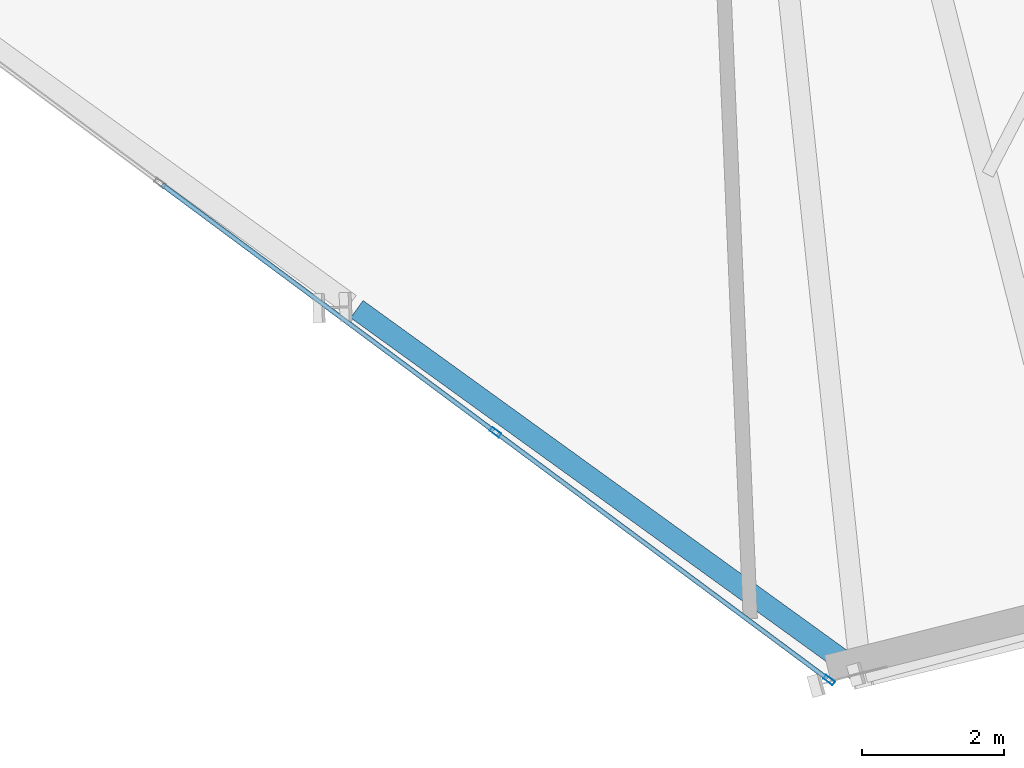
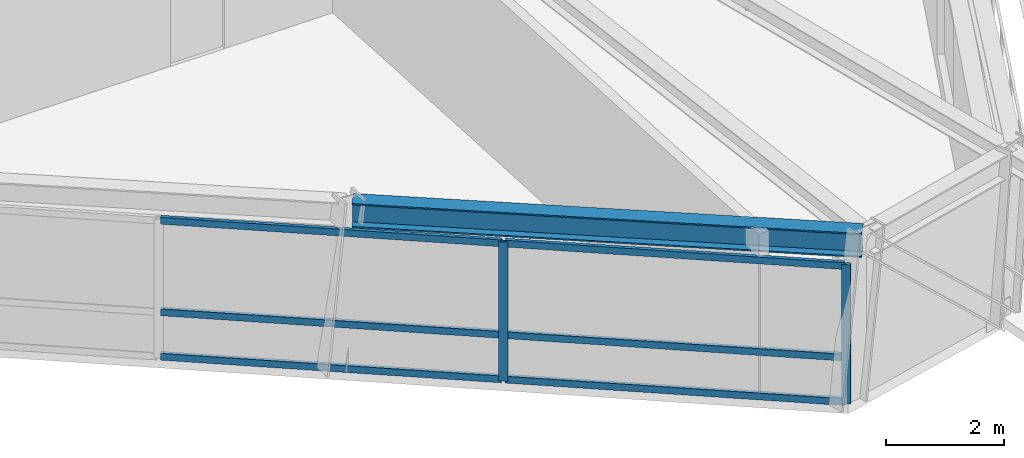
# One storey, part 3 of 14: 8 members, 1 beam, 1 element without a shape of its own.
"""IFC4 building model written with IfcOpenShell, lengths in metres."""

import ifcopenshell
import ifcopenshell.guid

model = None  # the IFC model being written
_history = None  # IfcOwnerHistory: only IFC2X3 demands one
_inside = {}  # id of a spatial element -> (the spatial element, [elements in it])
_under = {}  # id of a project, library or spatial element -> (it, [spatial elements below it])
_declared = {}  # id of a project -> (the project, [libraries it declares])
_typed = {}  # id of a type object -> (the type object, [elements of that type])
_made_of = {}  # id of a material, layer set ... -> (it, [elements and type objects made of it])


def new_model(schema):
    """Start an empty IFC model of exactly this schema.

    Asked for "IFC4X3", IfcOpenShell would pick the latest addendum, in which some entities
    have other attributes; the version numbers below select the first issue.
    IFC2X3 requires an IfcOwnerHistory on every rooted entity: one is made here for all.
    """
    global model, _history
    if schema == "IFC4X3":
        model = ifcopenshell.file(schema_version=(4, 3, 0, 0))
    else:
        model = ifcopenshell.file(schema=schema)
    _inside.clear()
    _under.clear()
    _declared.clear()
    _typed.clear()
    _made_of.clear()
    _history = None
    if model.schema == "IFC2X3":
        org = make("IfcOrganization", Name="unknown")
        user = make(
            "IfcPersonAndOrganization",
            ThePerson=make("IfcPerson", FamilyName="unknown"),
            TheOrganization=org,
        )
        app = make(
            "IfcApplication",
            ApplicationDeveloper=org,
            Version="unknown",
            ApplicationFullName="unknown",
            ApplicationIdentifier="unknown",
        )
        _history = make(
            "IfcOwnerHistory",
            OwningUser=user,
            OwningApplication=app,
            ChangeAction="ADDED",
            CreationDate=0,
        )
    return model


def make(cls, **values):
    """One entity of the class cls with the attributes given. An attribute that is None is left unset."""
    return model.create_entity(
        cls, **{name: value for name, value in values.items() if value is not None}
    )


def rooted(cls, **values):
    """An entity with a GlobalId (a new one), such as an element, a storey or a relation."""
    return make(cls, GlobalId=ifcopenshell.guid.new(), OwnerHistory=_history, **values)


def si_unit(unit_type, name, prefix=None):
    """IfcSIUnit, for example si_unit("LENGTHUNIT", "METRE", prefix="MILLI")."""
    return make("IfcSIUnit", UnitType=unit_type, Prefix=prefix, Name=name)


def assignment(units):
    """IfcUnitAssignment: the units of a project."""
    return None if units is None else make("IfcUnitAssignment", Units=units)


def point(xyz):
    """IfcCartesianPoint."""
    return None if xyz is None else make("IfcCartesianPoint", Coordinates=xyz)


def direction(xyz):
    """IfcDirection."""
    return None if xyz is None else make("IfcDirection", DirectionRatios=xyz)


def frame(location, z_axis=None, x_axis=None):
    """IfcAxis2Placement3D, a coordinate frame: its origin and axes. An axis left out is left unset."""
    return make(
        "IfcAxis2Placement3D",
        Location=point(location),
        Axis=direction(z_axis),
        RefDirection=direction(x_axis),
    )


def frame_2d(location, x_axis=None):
    """IfcAxis2Placement2D, a coordinate frame in the plane: its origin and x axis."""
    return make(
        "IfcAxis2Placement2D", Location=point(location), RefDirection=direction(x_axis)
    )


def origin():
    """The frame at (0, 0, 0) with its axes left unset."""
    return frame((0.0, 0.0, 0.0))


def origin_2d():
    """The frame at (0, 0) in the plane with its x axis left unset."""
    return frame_2d((0.0, 0.0))


def place(relative_to, where):
    """IfcLocalPlacement: puts the frame where relative to a parent placement (None: the world)."""
    return make(
        "IfcLocalPlacement", PlacementRelTo=relative_to, RelativePlacement=where
    )


def context(
    kind, dimensions, precision=None, world=None, true_north=None, identifier=None
):
    """IfcGeometricRepresentationContext, for example the 3D "Model" context."""
    return make(
        "IfcGeometricRepresentationContext",
        ContextIdentifier=identifier,
        ContextType=kind,
        CoordinateSpaceDimension=dimensions,
        Precision=precision,
        WorldCoordinateSystem=world,
        TrueNorth=true_north,
    )


def subcontext(parent, identifier, kind, view, scale=None):
    """IfcGeometricRepresentationSubContext, for example "Body" below "Model"."""
    return make(
        "IfcGeometricRepresentationSubContext",
        ContextIdentifier=identifier,
        ContextType=kind,
        ParentContext=parent,
        TargetScale=scale,
        TargetView=view,
    )


def project(units=None, contexts=None):
    """IfcProject with its units and contexts."""
    return rooted(
        "IfcProject",
        Name="project",
        RepresentationContexts=contexts,
        UnitsInContext=assignment(units),
    )


def spatial(cls, under=None, at=None, **own):
    """A site, building, storey or space (cls), placed at a placement, below another one or the project."""
    s = rooted(cls, ObjectPlacement=at, **own)
    if under is not None:
        _under.setdefault(under.id(), (under, []))[1].append(s)
    return s


def profile(cls, at=None, kind="AREA", **sizes):
    """A parametric profile (cls). Its sizes go by their IFC names, for example OverallWidth=200.0."""
    return make(cls, ProfileType=kind, Position=at, **sizes)


def hollow_rectangle(**sizes):
    """IfcRectangleHollowProfileDef."""
    return profile("IfcRectangleHollowProfileDef", **sizes)


def i_section(**sizes):
    """IfcIShapeProfileDef."""
    return profile("IfcIShapeProfileDef", **sizes)


def extrude(swept, where, along, depth):
    """IfcExtrudedAreaSolid: the profile swept, set in the frame where, extruded along a direction by depth."""
    return make(
        "IfcExtrudedAreaSolid",
        SweptArea=swept,
        Position=where,
        ExtrudedDirection=direction(along),
        Depth=depth,
    )


def shape(context_of_items, identifier, shape_type, items):
    """IfcShapeRepresentation: the items that make up one representation, for example the "Body"."""
    return make(
        "IfcShapeRepresentation",
        ContextOfItems=context_of_items,
        RepresentationIdentifier=identifier,
        RepresentationType=shape_type,
        Items=items,
    )


def source(mapping_origin, context_of_items, identifier, shape_type, items):
    """IfcRepresentationMap: a shape defined once, which mapped items show again and again."""
    return make(
        "IfcRepresentationMap",
        MappingOrigin=mapping_origin,
        MappedRepresentation=shape(context_of_items, identifier, shape_type, items),
    )


def transform(
    local_origin,
    x_axis=None,
    y_axis=None,
    z_axis=None,
    scale=None,
    scale2=None,
    scale3=None,
    uniform=True,
):
    """IfcCartesianTransformationOperator3D, or its non-uniform kind. x_axis, y_axis, z_axis: its Axis1, 2, 3."""
    if uniform:
        return make(
            "IfcCartesianTransformationOperator3D",
            Axis1=direction(x_axis),
            Axis2=direction(y_axis),
            LocalOrigin=point(local_origin),
            Scale=scale,
            Axis3=direction(z_axis),
        )
    return make(
        "IfcCartesianTransformationOperator3DnonUniform",
        Axis1=direction(x_axis),
        Axis2=direction(y_axis),
        LocalOrigin=point(local_origin),
        Scale=scale,
        Axis3=direction(z_axis),
        Scale2=scale2,
        Scale3=scale3,
    )


def mapped(mapping_source, mapping_target):
    """IfcMappedItem: shows the shape of a source again, moved by a transform."""
    return make(
        "IfcMappedItem", MappingSource=mapping_source, MappingTarget=mapping_target
    )


def material(Name=None, Category=None):
    """IfcMaterial."""
    return make("IfcMaterial", Name=Name, Category=Category)


def material_profile(
    of_material, cross_section, Name=None, Category=None, Priority=None
):
    """IfcMaterialProfile: a cross section and its material."""
    return make(
        "IfcMaterialProfile",
        Name=Name,
        Material=of_material,
        Profile=cross_section,
        Priority=Priority,
        Category=Category,
    )


def profile_set(profiles, Name=None, composite=None):
    """IfcMaterialProfileSet."""
    return make(
        "IfcMaterialProfileSet",
        Name=Name,
        MaterialProfiles=profiles,
        CompositeProfile=composite,
    )


def made_of(thing, what):
    """Note that an element or type object is made of a material, layer set ...; save() writes the relation."""
    if what is not None:
        _made_of.setdefault(what.id(), (what, []))[1].append(thing)
    return thing


def type_object(cls, material=None, **own):
    """A type object (cls), such as IfcWallType, which elements share."""
    return made_of(rooted(cls, **own), material)


def element(
    cls,
    number,
    at=None,
    inside=None,
    cuts=None,
    type_object=None,
    material=None,
    context=None,
    identifier="Body",
    shape_type=None,
    held_by="IfcProductDefinitionShape",
    body=None,
    shapes=None,
    **own,
):
    """One element of the class cls, such as IfcWall. Its Tag is "e" and its number.

    at: its placement. inside: the storey or other place that contains it. cuts: it is an
    opening in that element (IfcRelVoidsElement). A single representation is given by context,
    identifier, shape_type and body (its items); several are given by shapes. held_by: the class
    of the entity that holds the representations. save() writes the other relations.
    """
    e = rooted(cls, Tag="e%d" % number, ObjectPlacement=at, **own)
    if body is not None:
        shapes = [shape(context, identifier, shape_type, body)]
    if shapes is not None:
        e.Representation = make(held_by, Representations=shapes)
    if inside is not None:
        _inside.setdefault(inside.id(), (inside, []))[1].append(e)
    if cuts is not None:
        rooted(
            "IfcRelVoidsElement", RelatingBuildingElement=cuts, RelatedOpeningElement=e
        )
    if type_object is not None:
        _typed.setdefault(type_object.id(), (type_object, []))[1].append(e)
    return made_of(e, material)


def aggregate(whole, parts):
    """IfcRelAggregates: a whole, such as a stair, and the parts it consists of."""
    return rooted("IfcRelAggregates", RelatingObject=whole, RelatedObjects=parts)


def save(model, path):
    """Write the relations noted so far, then the file.

    IfcRelAggregates (storeys below a building ...), IfcRelContainedInSpatialStructure (elements
    in a storey), IfcRelDefinesByType, IfcRelAssociatesMaterial and IfcRelDeclares: one each for
    every whole, place, type object, material and project.
    """
    for whole, parts in _under.values():
        aggregate(whole, parts)
    for where, things in _inside.values():
        rooted(
            "IfcRelContainedInSpatialStructure",
            RelatedElements=things,
            RelatingStructure=where,
        )
    for kind, things in _typed.values():
        rooted("IfcRelDefinesByType", RelatedObjects=things, RelatingType=kind)
    for what, things in _made_of.values():
        rooted("IfcRelAssociatesMaterial", RelatedObjects=things, RelatingMaterial=what)
    for by, libraries in _declared.values():
        rooted("IfcRelDeclares", RelatingContext=by, RelatedDefinitions=libraries)
    model.write(path)


model = new_model("IFC4")

# Units and contexts
model_context = context("Model", 3, precision=1e-05, world=origin(), true_north=direction((0.0, 1.0)))
body_context = subcontext(model_context, "Body", "Model", "MODEL_VIEW")
ifc_project = project(units=[si_unit("LENGTHUNIT", "METRE"), si_unit("AREAUNIT", "SQUARE_METRE"), si_unit("VOLUMEUNIT", "CUBIC_METRE"), si_unit("PLANEANGLEUNIT", "RADIAN"), si_unit("MASSUNIT", "GRAM", prefix="KILO")], contexts=[model_context])

# Site, building, storey
site_placement = place(None, origin())
site = spatial("IfcSite", under=ifc_project, at=site_placement, CompositionType="ELEMENT")
building_placement = place(site_placement, origin())
building = spatial("IfcBuilding", under=site, at=building_placement, Name="Olszyna Solenne Hotel", CompositionType="ELEMENT")
storey_placement = place(building_placement, frame((0.0, 0.0, 230.89990234375)))
storey = spatial("IfcBuildingStorey", under=building, at=storey_placement, Name="L61", CompositionType="ELEMENT", Elevation=230.89990234375)

# Beam
ifc_material_1 = material(Name="Steel S355J2", Category="steel")
ifc_material_profile_1 = material_profile(ifc_material_1, i_section(OverallWidth=0.300048828125, OverallDepth=0.5, WebThickness=0.014404296875, FlangeThickness=0.028076171875, at=origin_2d()), Name="HEB 500", Category="load-bearing")
ifc_profile_set_1 = profile_set([ifc_material_profile_1], Name="Steel S355J2")
beam_type = type_object("IfcBeamType", Name="BM-S3", PredefinedType="BEAM", material=ifc_profile_set_1)
shared_shape_1 = source(origin(), body_context, "Body", "SweptSolid", [
    extrude(i_section(OverallWidth=0.300048828125, OverallDepth=0.5, WebThickness=0.014404296875, FlangeThickness=0.028076171875, at=origin_2d()), origin(), (0.0, 0.0, 1.0), 8.664794921875),
])
beam_placement = place(storey_placement, frame((33.439453125, 8.008544921875, 3.130126953125), z_axis=(0.810465193852, -0.585786795306, 0.0), x_axis=(0.585786795306, 0.810465193852, 0.0)))
element("IfcBeam", 1, at=beam_placement, inside=storey, type_object=beam_type, Name="Perimeter spandrel beam BM-S3 B-L61-1803", PredefinedType="BEAM", context=body_context, shape_type="MappedRepresentation", body=[
    mapped(shared_shape_1, transform((0.0, 0.0, 0.0), x_axis=(1.0, 0.0, 0.0), y_axis=(0.0, 1.0, 0.0), z_axis=(0.0, 0.0, 1.0), scale=1.0)),
])

# Curtain wall, members
ifc_material_2 = material(Name="Anodised bronze aluminium", Category="aluminium")
curtain_wall_type = type_object("IfcCurtainWallType", Name="CW-SYS-4", PredefinedType="NOTDEFINED", material=ifc_material_2)
curtain_wall_placement = place(storey_placement, origin())
curtain_wall = element("IfcCurtainWall", 2, at=curtain_wall_placement, inside=storey, type_object=curtain_wall_type, Name="Unitised curtain wall CW-SYS-4 CW-L61-01", PredefinedType="NOTDEFINED")
ifc_material_profile_2 = material_profile(ifc_material_2, hollow_rectangle(XDim=0.06494140625, YDim=0.159912109375, WallThickness=0.00390625, at=origin_2d()), Name="MULL 160x65x4", Category="load-bearing")
ifc_profile_set_2 = profile_set([ifc_material_profile_2], Name="Anodised bronze aluminium")
member_type_1 = type_object("IfcMemberType", Name="CW-M3", PredefinedType="MULLION", material=ifc_profile_set_2)
shared_shape_2 = source(origin(), body_context, "Body", "SweptSolid", [
    extrude(hollow_rectangle(XDim=0.06494140625, YDim=0.159912109375, WallThickness=0.00390625, at=origin_2d()), origin(), (0.0, 0.0, 1.0), 2.8720703125),
])
member_1_placement = place(storey_placement, frame((35.38623046875, 6.280029296875, 0.0), z_axis=(0.0, 0.0, 1.0), x_axis=(0.596276180926, 0.802779369478, 0.0)))
member_1 = element("IfcMember", 3, at=member_1_placement, type_object=member_type_1, Name="Curtain-wall mullion CW-M3 CM-L61-01-03", PredefinedType="MULLION", context=body_context, shape_type="MappedRepresentation", body=[
    mapped(shared_shape_2, transform((0.0, 0.0, 0.0), x_axis=(1.0, 0.0, 0.0), y_axis=(0.0, 1.0, 0.0), z_axis=(0.0, 0.0, 1.0), scale=1.0)),
])
member_2_placement = place(storey_placement, frame((40.068603515625, 2.80224609375, 0.0), z_axis=(0.0, 0.0, 1.0), x_axis=(0.596276180926, 0.802779369478, 0.0)))
member_2 = element("IfcMember", 4, at=member_2_placement, type_object=member_type_1, Name="Curtain-wall mullion CW-M3 CM-L61-01-04", PredefinedType="MULLION", context=body_context, shape_type="MappedRepresentation", body=[
    mapped(shared_shape_2, transform((0.0, 0.0, 0.0), x_axis=(1.0, 0.0, 0.0), y_axis=(0.0, 1.0, 0.0), z_axis=(0.0, 0.0, 1.0), scale=1.0)),
])
ifc_material_profile_3 = material_profile(ifc_material_2, hollow_rectangle(XDim=0.06494140625, YDim=0.139892578125, WallThickness=0.00390625, at=origin_2d()), Name="TRAN 140x65x4", Category="load-bearing")
ifc_profile_set_3 = profile_set([ifc_material_profile_3], Name="Anodised bronze aluminium")
member_type_2 = type_object("IfcMemberType", Name="CW-T2", PredefinedType="USERDEFINED", material=ifc_profile_set_3)
shared_shape_3 = source(origin(), body_context, "Body", "SweptSolid", [
    extrude(hollow_rectangle(XDim=0.06494140625, YDim=0.139892578125, WallThickness=0.00390625, at=origin_2d()), origin(), (0.0, 0.0, 1.0), 5.767578125),
])
member_3_placement = place(storey_placement, frame((35.412353515625, 6.2607421875, 0.03271484375), z_axis=(0.802790161466, -0.596261651168, 0.0), x_axis=(0.596261651168, 0.802790161466, 0.0)))
member_3 = element("IfcMember", 5, at=member_3_placement, type_object=member_type_2, Name="Curtain-wall transom CW-T2 CT-L61-01-07", ObjectType="TRANSOM", PredefinedType="USERDEFINED", context=body_context, shape_type="MappedRepresentation", body=[
    mapped(shared_shape_3, transform((0.0, 0.0, 0.0), x_axis=(1.0, 0.0, 0.0), y_axis=(0.0, 1.0, 0.0), z_axis=(0.0, 0.0, 1.0), scale=1.0)),
])
member_4_placement = place(storey_placement, frame((35.412353515625, 6.2607421875, 0.9501953125), z_axis=(0.802790161466, -0.596261651168, 0.0), x_axis=(0.596261651168, 0.802790161466, 0.0)))
member_4 = element("IfcMember", 6, at=member_4_placement, type_object=member_type_2, Name="Curtain-wall transom CW-T2 CT-L61-01-08", ObjectType="TRANSOM", PredefinedType="USERDEFINED", context=body_context, shape_type="MappedRepresentation", body=[
    mapped(shared_shape_3, transform((0.0, 0.0, 0.0), x_axis=(1.0, 0.0, 0.0), y_axis=(0.0, 1.0, 0.0), z_axis=(0.0, 0.0, 1.0), scale=1.0)),
])
member_5_placement = place(storey_placement, frame((35.412353515625, 6.2607421875, 2.839599609375), z_axis=(0.802790161466, -0.596261651168, 0.0), x_axis=(0.596261651168, 0.802790161466, 0.0)))
member_5 = element("IfcMember", 7, at=member_5_placement, type_object=member_type_2, Name="Curtain-wall transom CW-T2 CT-L61-01-09", ObjectType="TRANSOM", PredefinedType="USERDEFINED", context=body_context, shape_type="MappedRepresentation", body=[
    mapped(shared_shape_3, transform((0.0, 0.0, 0.0), x_axis=(1.0, 0.0, 0.0), y_axis=(0.0, 1.0, 0.0), z_axis=(0.0, 0.0, 1.0), scale=1.0)),
])
shared_shape_4 = source(origin(), body_context, "Body", "SweptSolid", [
    extrude(hollow_rectangle(XDim=0.06494140625, YDim=0.139892578125, WallThickness=0.00390625, at=origin_2d()), origin(), (0.0, 0.0, 1.0), 5.800048828125),
])
member_6_placement = place(storey_placement, frame((30.7041015625, 9.758056640625, 0.03271484375), z_axis=(0.802764573134, -0.596296101044, 0.0), x_axis=(0.596296101044, 0.802764573134, 0.0)))
member_6 = element("IfcMember", 8, at=member_6_placement, type_object=member_type_2, Name="Curtain-wall transom CW-T2 CT-L61-01-04", ObjectType="TRANSOM", PredefinedType="USERDEFINED", context=body_context, shape_type="MappedRepresentation", body=[
    mapped(shared_shape_4, transform((0.0, 0.0, 0.0), x_axis=(1.0, 0.0, 0.0), y_axis=(0.0, 1.0, 0.0), z_axis=(0.0, 0.0, 1.0), scale=1.0)),
])
member_7_placement = place(storey_placement, frame((30.7041015625, 9.758056640625, 0.9501953125), z_axis=(0.802764573134, -0.596296101044, 0.0), x_axis=(0.596296101044, 0.802764573134, 0.0)))
member_7 = element("IfcMember", 9, at=member_7_placement, type_object=member_type_2, Name="Curtain-wall transom CW-T2 CT-L61-01-05", ObjectType="TRANSOM", PredefinedType="USERDEFINED", context=body_context, shape_type="MappedRepresentation", body=[
    mapped(shared_shape_4, transform((0.0, 0.0, 0.0), x_axis=(1.0, 0.0, 0.0), y_axis=(0.0, 1.0, 0.0), z_axis=(0.0, 0.0, 1.0), scale=1.0)),
])
member_8_placement = place(storey_placement, frame((30.7041015625, 9.758056640625, 2.839599609375), z_axis=(0.802764573134, -0.596296101044, 0.0), x_axis=(0.596296101044, 0.802764573134, 0.0)))
member_8 = element("IfcMember", 10, at=member_8_placement, type_object=member_type_2, Name="Curtain-wall transom CW-T2 CT-L61-01-06", ObjectType="TRANSOM", PredefinedType="USERDEFINED", context=body_context, shape_type="MappedRepresentation", body=[
    mapped(shared_shape_4, transform((0.0, 0.0, 0.0), x_axis=(1.0, 0.0, 0.0), y_axis=(0.0, 1.0, 0.0), z_axis=(0.0, 0.0, 1.0), scale=1.0)),
])
aggregate(curtain_wall, [member_1, member_2, member_6, member_7, member_8, member_3, member_4, member_5])

save(model, "model.ifc")
